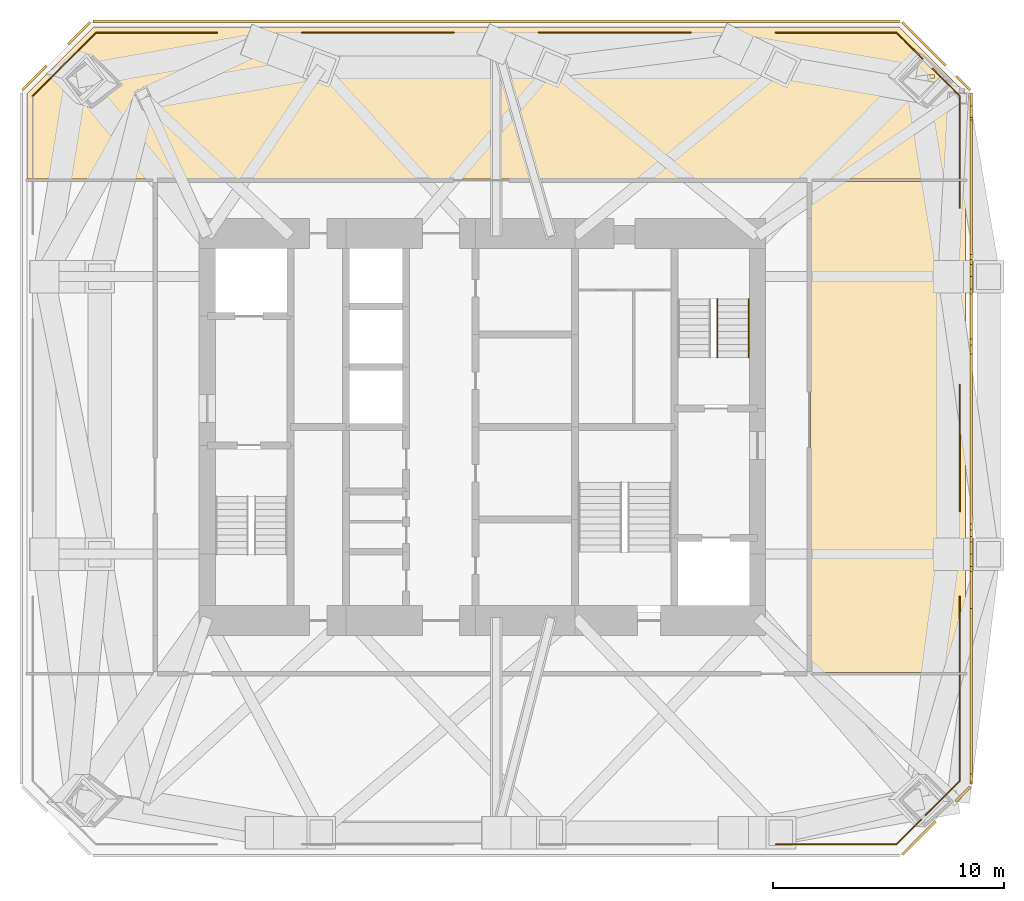
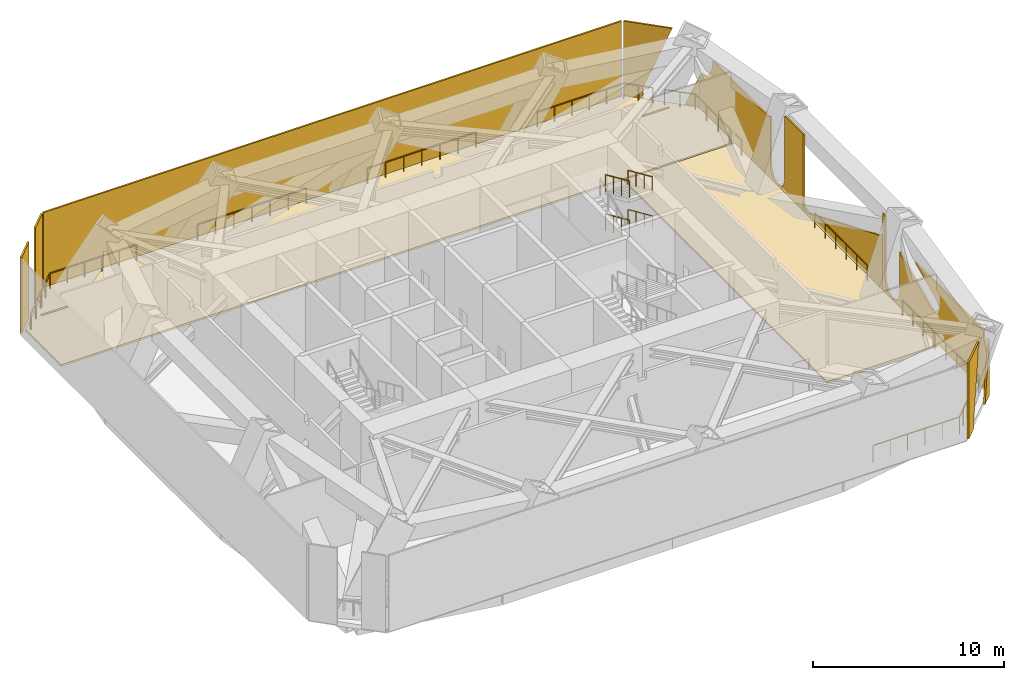
# One storey, part 8 of 8: 20 railings, 10 shading devices, 2 coverings.
"""IFC4 building model written with IfcOpenShell, lengths in metres."""

from ifc_helpers import new_model, si_unit, direction, frame, origin, origin_2d, place, context, subcontext, project, spatial, polyline, rectangle, circle, outline, extrude, material, layer, layer_set, constituent, constituent_set, type_object, element, save


model = new_model("IFC4")

# Units and contexts
model_context = context("Model", 3, precision=1e-05, world=origin(), true_north=direction((0.0, 1.0)))
body_context = subcontext(model_context, "Body", "Model", "MODEL_VIEW")
ifc_project = project(units=[si_unit("LENGTHUNIT", "METRE"), si_unit("AREAUNIT", "SQUARE_METRE"), si_unit("VOLUMEUNIT", "CUBIC_METRE"), si_unit("PLANEANGLEUNIT", "RADIAN"), si_unit("MASSUNIT", "GRAM", prefix="KILO")], contexts=[model_context])

# Site, building, storey
site_placement = place(None, origin())
site = spatial("IfcSite", under=ifc_project, at=site_placement, CompositionType="ELEMENT")
building_placement = place(site_placement, origin())
building = spatial("IfcBuilding", under=site, at=building_placement, Name="Jalousie Tower", CompositionType="ELEMENT")
storey_placement = place(building_placement, frame((0.0, 0.0, 207.949951171875)))
storey = spatial("IfcBuildingStorey", under=building, at=storey_placement, Name="L57", CompositionType="ELEMENT", Elevation=207.949951171875)

# Coverings
ifc_material_1 = material(Name="Sand-cement screed on resilient layer", Category="concrete")
ifc_layer_1 = layer(ifc_material_1, 0.1201171875)
ifc_layer_set_1 = layer_set([ifc_layer_1], Name="Sand-cement screed on resilient layer")
covering_type = type_object("IfcCoveringType", Name="FLOATING PLANT SCREED 120", PredefinedType="FLOORING", material=ifc_layer_set_1)
covering_1_placement = place(storey_placement, origin())
element("IfcCovering", 1, at=covering_1_placement, inside=storey, type_object=covering_type, Name="Floating screed Mechanical plant room", PredefinedType="FLOORING", context=body_context, shape_type="SweptSolid", body=[
    extrude(outline(polyline([(12.199951171875, 32.917236328125), (15.082763671875, 35.800048828125), (49.917236328125, 35.800048828125), (52.800048828125, 32.917236328125), (52.800048828125, 29.22509765625), (12.199951171875, 29.22509765625), (12.199951171875, 32.917236328125)]), holes=[polyline([(49.8515625, 33.589111328125), (51.451416015625, 33.589111328125), (51.451416015625, 33.714111328125), (49.8515625, 33.714111328125), (49.8515625, 33.589111328125)]), polyline([(13.548583984375, 33.589111328125), (15.1484375, 33.589111328125), (15.1484375, 33.714111328125), (13.548583984375, 33.714111328125), (13.548583984375, 33.589111328125)])]), origin(), (0.0, 0.0, 1.0), 0.1201171875),
])
covering_2_placement = place(storey_placement, origin())
element("IfcCovering", 2, at=covering_2_placement, inside=storey, type_object=covering_type, Name="Floating screed Water tank room", PredefinedType="FLOORING", context=body_context, shape_type="SweptSolid", body=[
    extrude(outline(polyline([(52.800048828125, 29.125), (52.800048828125, 7.875), (46.10009765625, 7.875), (46.10009765625, 29.125), (52.800048828125, 29.125)])), origin(), (0.0, 0.0, 1.0), 0.1201171875),
])

# Railings
ifc_material_2 = material(Name="Stainless steel AISI 316", Category="steel")
railing_type_1 = type_object("IfcRailingType", Name="PLANT GUARDRAIL 1100", PredefinedType="GUARDRAIL", material=ifc_material_2)
railing_1_placement = place(storey_placement, frame((12.449951171875, 32.813720703125, 0.0)))
element("IfcRailing", 3, at=railing_1_placement, inside=storey, type_object=railing_type_1, Name="Plant floor guard L57 8", PredefinedType="GUARDRAIL", context=body_context, shape_type="SweptSolid", body=[
    extrude(rectangle(XDim=0.048095703125, YDim=0.048095703125, at=origin_2d()), frame((0.0, 0.0, 1.076171875), z_axis=(0.707167065664, 0.707046491569, 0.0), x_axis=(-0.707046491569, 0.707167065664, 0.0)), (0.0, 0.0, 1.0), 2.02490234375),
    extrude(circle(Radius=0.02099609375, at=origin_2d()), origin(), (0.0, 0.0, 1.0), 1.052001953125),
    extrude(circle(Radius=0.02099609375, at=origin_2d()), frame((0.7158203125, 0.7158203125, 0.0)), (0.0, 0.0, 1.0), 1.052001953125),
    extrude(circle(Radius=0.02099609375, at=origin_2d()), frame((1.431884765625, 1.431640625, 0.0)), (0.0, 0.0, 1.0), 1.052001953125),
])
railing_2_placement = place(storey_placement, frame((13.921875, 34.285400390625, 0.0)))
element("IfcRailing", 4, at=railing_2_placement, inside=storey, type_object=railing_type_1, Name="Plant floor guard L57 9", PredefinedType="GUARDRAIL", context=body_context, shape_type="SweptSolid", body=[
    extrude(rectangle(XDim=0.048095703125, YDim=0.048095703125, at=origin_2d()), frame((0.0, 0.0, 1.076171875), z_axis=(0.707038517753, 0.707175038031, 0.0), x_axis=(-0.707175038031, 0.707038517753, 0.0)), (0.0, 0.0, 1.0), 1.788330078125),
    extrude(circle(Radius=0.02099609375, at=origin_2d()), origin(), (0.0, 0.0, 1.0), 1.052001953125),
    extrude(circle(Radius=0.02099609375, at=origin_2d()), frame((0.63232421875, 0.63232421875, 0.0)), (0.0, 0.0, 1.0), 1.052001953125),
    extrude(circle(Radius=0.02099609375, at=origin_2d()), frame((1.264404296875, 1.2646484375, 0.0)), (0.0, 0.0, 1.0), 1.052001953125),
])
railing_3_placement = place(storey_placement, frame((15.186279296875, 35.550048828125, 0.0)))
element("IfcRailing", 5, at=railing_3_placement, inside=storey, type_object=railing_type_1, Name="Plant floor guard L57 10", PredefinedType="GUARDRAIL", context=body_context, shape_type="SweptSolid", body=[
    extrude(rectangle(XDim=0.048095703125, YDim=0.048095703125, at=origin_2d()), frame((0.0, 0.0, 1.076171875), z_axis=(1.0, 0.0, 0.0), x_axis=(0.0, 1.0, 0.0)), (0.0, 0.0, 1.0), 5.21875),
    extrude(circle(Radius=0.02099609375, at=origin_2d()), origin(), (0.0, 0.0, 1.0), 1.052001953125),
    extrude(circle(Radius=0.02099609375, at=origin_2d()), frame((1.043701171875, 0.0, 0.0)), (0.0, 0.0, 1.0), 1.052001953125),
    extrude(circle(Radius=0.02099609375, at=origin_2d()), frame((2.08740234375, 0.0, 0.0)), (0.0, 0.0, 1.0), 1.052001953125),
    extrude(circle(Radius=0.02099609375, at=origin_2d()), frame((3.13134765625, 0.0, 0.0)), (0.0, 0.0, 1.0), 1.052001953125),
    extrude(circle(Radius=0.02099609375, at=origin_2d()), frame((4.175048828125, 0.0, 0.0)), (0.0, 0.0, 1.0), 1.052001953125),
    extrude(circle(Radius=0.02099609375, at=origin_2d()), frame((5.21875, 0.0, 0.0)), (0.0, 0.0, 1.0), 1.052001953125),
])
for number, where, name in (
    (6, (24.094970703125, 35.550048828125, 0.0), "Plant floor guard L57 11"),
    (7, (34.344970703125, 35.550048828125, 0.0), "Plant floor guard L57 12"),
):
    element("IfcRailing", number, at=place(storey_placement, frame(where)), inside=storey, type_object=railing_type_1, Name=name, PredefinedType="GUARDRAIL", context=body_context, shape_type="SweptSolid", body=[
        extrude(rectangle(XDim=0.048095703125, YDim=0.048095703125, at=origin_2d()), frame((0.0, 0.0, 1.076171875), z_axis=(1.0, 0.0, 0.0), x_axis=(0.0, 1.0, 0.0)), (0.0, 0.0, 1.0), 6.56005859375),
        extrude(circle(Radius=0.02099609375, at=origin_2d()), origin(), (0.0, 0.0, 1.0), 1.052001953125),
        extrude(circle(Radius=0.02099609375, at=origin_2d()), frame((1.09326171875, 0.0, 0.0)), (0.0, 0.0, 1.0), 1.052001953125),
        extrude(circle(Radius=0.02099609375, at=origin_2d()), frame((2.186767578125, 0.0, 0.0)), (0.0, 0.0, 1.0), 1.052001953125),
        extrude(circle(Radius=0.02099609375, at=origin_2d()), frame((3.280029296875, 0.0, 0.0)), (0.0, 0.0, 1.0), 1.052001953125),
        extrude(circle(Radius=0.02099609375, at=origin_2d()), frame((4.373291015625, 0.0, 0.0)), (0.0, 0.0, 1.0), 1.052001953125),
        extrude(circle(Radius=0.02099609375, at=origin_2d()), frame((5.466796875, 0.0, 0.0)), (0.0, 0.0, 1.0), 1.052001953125),
        extrude(circle(Radius=0.02099609375, at=origin_2d()), frame((6.56005859375, 0.0, 0.0)), (0.0, 0.0, 1.0), 1.052001953125),
    ])
railing_4_placement = place(storey_placement, frame((44.594970703125, 35.550048828125, 0.0)))
element("IfcRailing", 8, at=railing_4_placement, inside=storey, type_object=railing_type_1, Name="Plant floor guard L57 13", PredefinedType="GUARDRAIL", context=body_context, shape_type="SweptSolid", body=[
    extrude(rectangle(XDim=0.048095703125, YDim=0.048095703125, at=origin_2d()), frame((0.0, 0.0, 1.076171875), z_axis=(1.0, 0.0, 0.0), x_axis=(0.0, 1.0, 0.0)), (0.0, 0.0, 1.0), 5.21875),
    extrude(circle(Radius=0.02099609375, at=origin_2d()), origin(), (0.0, 0.0, 1.0), 1.052001953125),
    extrude(circle(Radius=0.02099609375, at=origin_2d()), frame((1.043701171875, 0.0, 0.0)), (0.0, 0.0, 1.0), 1.052001953125),
    extrude(circle(Radius=0.02099609375, at=origin_2d()), frame((2.08740234375, 0.0, 0.0)), (0.0, 0.0, 1.0), 1.052001953125),
    extrude(circle(Radius=0.02099609375, at=origin_2d()), frame((3.13134765625, 0.0, 0.0)), (0.0, 0.0, 1.0), 1.052001953125),
    extrude(circle(Radius=0.02099609375, at=origin_2d()), frame((4.175048828125, 0.0, 0.0)), (0.0, 0.0, 1.0), 1.052001953125),
    extrude(circle(Radius=0.02099609375, at=origin_2d()), frame((5.21875, 0.0, 0.0)), (0.0, 0.0, 1.0), 1.052001953125),
])
railing_5_placement = place(storey_placement, frame((49.813720703125, 35.550048828125, 0.0)))
element("IfcRailing", 9, at=railing_5_placement, inside=storey, type_object=railing_type_1, Name="Plant floor guard L57 14", PredefinedType="GUARDRAIL", context=body_context, shape_type="SweptSolid", body=[
    extrude(rectangle(XDim=0.048095703125, YDim=0.048095703125, at=origin_2d()), frame((0.0, 0.0, 1.076171875), z_axis=(0.707029976019, -0.707183578012, 0.0), x_axis=(0.707183578012, 0.707029976019, 0.0)), (0.0, 0.0, 1.0), 1.58935546875),
    extrude(circle(Radius=0.02099609375, at=origin_2d()), origin(), (0.0, 0.0, 1.0), 1.052001953125),
    extrude(circle(Radius=0.02099609375, at=origin_2d()), frame((0.56201171875, -0.56201171875, 0.0)), (0.0, 0.0, 1.0), 1.052001953125),
    extrude(circle(Radius=0.02099609375, at=origin_2d()), frame((1.123779296875, -1.1240234375, 0.0)), (0.0, 0.0, 1.0), 1.052001953125),
])
railing_6_placement = place(storey_placement, frame((51.374267578125, 33.989501953125, 0.0)))
element("IfcRailing", 10, at=railing_6_placement, inside=storey, type_object=railing_type_1, Name="Plant floor guard L57 15", PredefinedType="GUARDRAIL", context=body_context, shape_type="SweptSolid", body=[
    extrude(rectangle(XDim=0.048095703125, YDim=0.048095703125, at=origin_2d()), frame((0.0, 0.0, 1.076171875), z_axis=(0.707106781187, -0.707106781187, 0.0), x_axis=(0.707106781187, 0.707106781187, 0.0)), (0.0, 0.0, 1.0), 1.662841796875),
    extrude(circle(Radius=0.02099609375, at=origin_2d()), origin(), (0.0, 0.0, 1.0), 1.052001953125),
    extrude(circle(Radius=0.02099609375, at=origin_2d()), frame((0.587890625, -0.587890625, 0.0)), (0.0, 0.0, 1.0), 1.052001953125),
    extrude(circle(Radius=0.02099609375, at=origin_2d()), frame((1.17578125, -1.17578125, 0.0)), (0.0, 0.0, 1.0), 1.052001953125),
])
railing_7_placement = place(storey_placement, frame((52.550048828125, 7.7548828125, 0.0)))
element("IfcRailing", 11, at=railing_7_placement, inside=storey, type_object=railing_type_1, Name="Plant floor guard L57 16", PredefinedType="GUARDRAIL", context=body_context, shape_type="SweptSolid", body=[
    extrude(rectangle(XDim=0.048095703125, YDim=0.048095703125, at=origin_2d()), frame((0.0, 0.0, 1.076171875), z_axis=(0.0, -1.0, 0.0), x_axis=(1.0, 0.0, 0.0)), (0.0, 0.0, 1.0), 4.568603515625),
    extrude(circle(Radius=0.02099609375, at=origin_2d()), origin(), (0.0, 0.0, 1.0), 1.052001953125),
    extrude(circle(Radius=0.02099609375, at=origin_2d()), frame((0.0, -1.14208984375, 0.0)), (0.0, 0.0, 1.0), 1.052001953125),
    extrude(circle(Radius=0.02099609375, at=origin_2d()), frame((0.0, -2.2841796875, 0.0)), (0.0, 0.0, 1.0), 1.052001953125),
    extrude(circle(Radius=0.02099609375, at=origin_2d()), frame((0.0, -3.426513671875, 0.0)), (0.0, 0.0, 1.0), 1.052001953125),
    extrude(circle(Radius=0.02099609375, at=origin_2d()), frame((0.0, -4.568603515625, 0.0)), (0.0, 0.0, 1.0), 1.052001953125),
])
railing_8_placement = place(storey_placement, frame((52.550048828125, 11.155029296875, 0.0)))
element("IfcRailing", 12, at=railing_8_placement, inside=storey, type_object=railing_type_1, Name="Plant floor guard L57 17", PredefinedType="GUARDRAIL", context=body_context, shape_type="SweptSolid", body=[
    extrude(rectangle(XDim=0.048095703125, YDim=0.048095703125, at=origin_2d()), frame((0.0, 0.0, 1.076171875), z_axis=(0.0, -1.0, 0.0), x_axis=(1.0, 0.0, 0.0)), (0.0, 0.0, 1.0), 3.260009765625),
    extrude(circle(Radius=0.02099609375, at=origin_2d()), origin(), (0.0, 0.0, 1.0), 1.052001953125),
    extrude(circle(Radius=0.02099609375, at=origin_2d()), frame((0.0, -1.086669921875, 0.0)), (0.0, 0.0, 1.0), 1.052001953125),
    extrude(circle(Radius=0.02099609375, at=origin_2d()), frame((0.0, -2.17333984375, 0.0)), (0.0, 0.0, 1.0), 1.052001953125),
    extrude(circle(Radius=0.02099609375, at=origin_2d()), frame((0.0, -3.260009765625, 0.0)), (0.0, 0.0, 1.0), 1.052001953125),
])
railing_9_placement = place(storey_placement, frame((52.550048828125, 20.322265625, 0.0)))
element("IfcRailing", 13, at=railing_9_placement, inside=storey, type_object=railing_type_1, Name="Plant floor guard L57 18", PredefinedType="GUARDRAIL", context=body_context, shape_type="SweptSolid", body=[
    extrude(rectangle(XDim=0.048095703125, YDim=0.048095703125, at=origin_2d()), frame((0.0, 0.0, 1.076171875), z_axis=(0.0, -1.0, 0.0), x_axis=(1.0, 0.0, 0.0)), (0.0, 0.0, 1.0), 5.477294921875),
    extrude(circle(Radius=0.02099609375, at=origin_2d()), origin(), (0.0, 0.0, 1.0), 1.052001953125),
    extrude(circle(Radius=0.02099609375, at=origin_2d()), frame((0.0, -1.095458984375, 0.0)), (0.0, 0.0, 1.0), 1.052001953125),
    extrude(circle(Radius=0.02099609375, at=origin_2d()), frame((0.0, -2.19091796875, 0.0)), (0.0, 0.0, 1.0), 1.052001953125),
    extrude(circle(Radius=0.02099609375, at=origin_2d()), frame((0.0, -3.286376953125, 0.0)), (0.0, 0.0, 1.0), 1.052001953125),
    extrude(circle(Radius=0.02099609375, at=origin_2d()), frame((0.0, -4.3818359375, 0.0)), (0.0, 0.0, 1.0), 1.052001953125),
    extrude(circle(Radius=0.02099609375, at=origin_2d()), frame((0.0, -5.477294921875, 0.0)), (0.0, 0.0, 1.0), 1.052001953125),
])
railing_10_placement = place(storey_placement, frame((52.550048828125, 29.10498046875, 0.0)))
element("IfcRailing", 14, at=railing_10_placement, inside=storey, type_object=railing_type_1, Name="Plant floor guard L57 19", PredefinedType="GUARDRAIL", context=body_context, shape_type="SweptSolid", body=[
    extrude(rectangle(XDim=0.048095703125, YDim=0.048095703125, at=origin_2d()), frame((0.0, 0.0, 1.076171875), z_axis=(0.0, -1.0, 0.0), x_axis=(1.0, 0.0, 0.0)), (0.0, 0.0, 1.0), 1.12255859375),
    extrude(circle(Radius=0.02099609375, at=origin_2d()), origin(), (0.0, 0.0, 1.0), 1.052001953125),
    extrude(circle(Radius=0.02099609375, at=origin_2d()), frame((0.0, -1.12255859375, 0.0)), (0.0, 0.0, 1.0), 1.052001953125),
])
railing_11_placement = place(storey_placement, frame((52.550048828125, 32.813720703125, 0.0)))
element("IfcRailing", 15, at=railing_11_placement, inside=storey, type_object=railing_type_1, Name="Plant floor guard L57 20", PredefinedType="GUARDRAIL", context=body_context, shape_type="SweptSolid", body=[
    extrude(rectangle(XDim=0.048095703125, YDim=0.048095703125, at=origin_2d()), frame((0.0, 0.0, 1.076171875), z_axis=(0.0, -1.0, 0.0), x_axis=(1.0, 0.0, 0.0)), (0.0, 0.0, 1.0), 3.568603515625),
    extrude(circle(Radius=0.02099609375, at=origin_2d()), origin(), (0.0, 0.0, 1.0), 1.052001953125),
    extrude(circle(Radius=0.02099609375, at=origin_2d()), frame((0.0, -1.189453125, 0.0)), (0.0, 0.0, 1.0), 1.052001953125),
    extrude(circle(Radius=0.02099609375, at=origin_2d()), frame((0.0, -2.379150390625, 0.0)), (0.0, 0.0, 1.0), 1.052001953125),
    extrude(circle(Radius=0.02099609375, at=origin_2d()), frame((0.0, -3.568603515625, 0.0)), (0.0, 0.0, 1.0), 1.052001953125),
])
railing_12_placement = place(storey_placement, frame((50.882568359375, 1.518798828125, 0.0)))
element("IfcRailing", 16, at=railing_12_placement, inside=storey, type_object=railing_type_1, Name="Plant floor guard L57 21", PredefinedType="GUARDRAIL", context=body_context, shape_type="SweptSolid", body=[
    extrude(rectangle(XDim=0.048095703125, YDim=0.048095703125, at=origin_2d()), frame((0.0, 0.0, 1.076171875), z_axis=(-0.707106781187, -0.707106781187, 0.0), x_axis=(0.707106781187, -0.707106781187, 0.0)), (0.0, 0.0, 1.0), 1.511474609375),
    extrude(circle(Radius=0.02099609375, at=origin_2d()), origin(), (0.0, 0.0, 1.0), 1.052001953125),
    extrude(circle(Radius=0.02099609375, at=origin_2d()), frame((-0.534423828125, -0.534423828125, 0.0)), (0.0, 0.0, 1.0), 1.052001953125),
    extrude(circle(Radius=0.02099609375, at=origin_2d()), frame((-1.06884765625, -1.06884765625, 0.0)), (0.0, 0.0, 1.0), 1.052001953125),
])
railing_13_placement = place(storey_placement, frame((52.550048828125, 3.186279296875, 0.0)))
element("IfcRailing", 17, at=railing_13_placement, inside=storey, type_object=railing_type_1, Name="Plant floor guard L57 22", PredefinedType="GUARDRAIL", context=body_context, shape_type="SweptSolid", body=[
    extrude(rectangle(XDim=0.048095703125, YDim=0.048095703125, at=origin_2d()), frame((0.0, 0.0, 1.076171875), z_axis=(-0.707106781187, -0.707106781187, 0.0), x_axis=(0.707106781187, -0.707106781187, 0.0)), (0.0, 0.0, 1.0), 2.098876953125),
    extrude(circle(Radius=0.02099609375, at=origin_2d()), origin(), (0.0, 0.0, 1.0), 1.052001953125),
    extrude(circle(Radius=0.02099609375, at=origin_2d()), frame((-0.7421875, -0.7421875, 0.0)), (0.0, 0.0, 1.0), 1.052001953125),
    extrude(circle(Radius=0.02099609375, at=origin_2d()), frame((-1.484130859375, -1.484130859375, 0.0)), (0.0, 0.0, 1.0), 1.052001953125),
])
railing_14_placement = place(storey_placement, frame((49.813720703125, 0.449951171875, 0.0)))
element("IfcRailing", 18, at=railing_14_placement, inside=storey, type_object=railing_type_1, Name="Plant floor guard L57 26", PredefinedType="GUARDRAIL", context=body_context, shape_type="SweptSolid", body=[
    extrude(rectangle(XDim=0.048095703125, YDim=0.048095703125, at=origin_2d()), frame((0.0, 0.0, 1.076171875), z_axis=(-1.0, 0.0, 0.0), x_axis=(0.0, -1.0, 0.0)), (0.0, 0.0, 1.0), 5.21875),
    extrude(circle(Radius=0.02099609375, at=origin_2d()), origin(), (0.0, 0.0, 1.0), 1.052001953125),
    extrude(circle(Radius=0.02099609375, at=origin_2d()), frame((-1.043701171875, 0.0, 0.0)), (0.0, 0.0, 1.0), 1.052001953125),
    extrude(circle(Radius=0.02099609375, at=origin_2d()), frame((-2.08740234375, 0.0, 0.0)), (0.0, 0.0, 1.0), 1.052001953125),
    extrude(circle(Radius=0.02099609375, at=origin_2d()), frame((-3.13134765625, 0.0, 0.0)), (0.0, 0.0, 1.0), 1.052001953125),
    extrude(circle(Radius=0.02099609375, at=origin_2d()), frame((-4.175048828125, 0.0, 0.0)), (0.0, 0.0, 1.0), 1.052001953125),
    extrude(circle(Radius=0.02099609375, at=origin_2d()), frame((-5.21875, 0.0, 0.0)), (0.0, 0.0, 1.0), 1.052001953125),
])

# Shading devices
ifc_material_3 = material(Name="Aluminium storm louvres", Category="aluminium")
ifc_layer_2 = layer(ifc_material_3, 0.10009765625)
ifc_layer_set_2 = layer_set([ifc_layer_2], Name="Aluminium storm louvres")
shading_device_type = type_object("IfcShadingDeviceType", Name="PLANT LOUVRE SCREEN", PredefinedType="JALOUSIE", material=ifc_layer_set_2)
shading_device_1_placement = place(storey_placement, frame((50.106201171875, -0.035400390625, -0.14990234375), z_axis=(0.70718671957, -0.707026833691, -1.024035e-05), x_axis=(0.707026833728, 0.707186719607, -5.42e-10)))
element("IfcShadingDevice", 19, at=shading_device_1_placement, inside=storey, type_object=shading_device_type, Name="Plant louvre screen L57 2", PredefinedType="JALOUSIE", context=body_context, shape_type="SweptSolid", body=[
    extrude(outline(polyline([(0.0, 0.0), (1.039771532180517, -8.470329472543003e-22), (0.9555263885634604, 0.5588378904524647), (1.8639238130433229, 4.229003907429494), (1.8054010402048872, 4.369873049715434), (2.0224013568804318, 4.869873048290335), (-2.6417625238857713e-09, 4.869873046619661), (0.0, 0.0)])), origin(), (0.0, 0.0, -1.0), 0.10009765625),
])
shading_device_2_placement = place(storey_placement, frame((53.035400390625, 2.893798828125, -0.14990234375), z_axis=(0.706969811354, -0.707243724493, 0.0), x_axis=(0.0, 0.0, 1.0)))
element("IfcShadingDevice", 20, at=shading_device_2_placement, inside=storey, type_object=shading_device_type, Name="Plant louvre screen L57 3", PredefinedType="JALOUSIE", context=body_context, shape_type="SweptSolid", body=[
    extrude(outline(polyline([(0.0, 0.0), (3.601806640625, 0.0), (0.0, 0.8913067333360426), (0.0, 0.0)])), origin(), (0.0, 0.0, -1.0), 0.10009765625),
])
shading_device_3_placement = place(storey_placement, frame((53.10009765625, 3.050048828125, -0.14990234375), z_axis=(1.0, 0.0, 0.0), x_axis=(0.0, 1.0, 0.0)))
element("IfcShadingDevice", 21, at=shading_device_3_placement, inside=storey, type_object=shading_device_type, Name="Plant louvre screen L57 4", PredefinedType="JALOUSIE", context=body_context, shape_type="SweptSolid", body=[
    extrude(outline(polyline([(0.0, 0.0), (10.987548828125, 0.0), (10.987548828125, 4.869873046875), (10.699951171875, 4.869873046875), (10.699951171875, 0.77490234375), (10.480224609375, 0.24462890625), (9.949951171875, 0.02490234375), (9.419677734375, 0.24462890625), (9.199951171875, 0.77490234375), (9.199951171875, 3.465576171875), (5.7685546875, 1.854736328125), (5.38623046875, 1.837158203125), (5.103515625, 2.094970703125), (5.0859375, 2.477294921875), (5.34375, 2.760009765625), (7.6015625, 3.820068359375), (0.427978515625, 3.820068359375), (0.433837890625, 3.416748046875), (0.099609375, 2.576416015625), (0.0, 2.533447265625), (0.0, 0.0)])), origin(), (0.0, 0.0, -1.0), 0.10009765625),
])
shading_device_4_placement = place(storey_placement, frame((53.10009765625, 14.03759765625, -0.14990234375), z_axis=(1.0, 0.0, 0.0), x_axis=(0.0, 1.0, 0.0)))
element("IfcShadingDevice", 22, at=shading_device_4_placement, inside=storey, type_object=shading_device_type, Name="Plant louvre screen L57 5", PredefinedType="JALOUSIE", context=body_context, shape_type="SweptSolid", body=[
    extrude(outline(polyline([(0.0, 0.0), (8.274658203125, 0.0), (8.274658203125, 0.872802734375), (8.27392578125, 0.490234375), (8.002685546875, 0.22021484375), (7.6201171875, 0.220947265625), (0.27001953125, 3.283447265625), (0.0, 3.554443359375), (0.0, 0.0)])), origin(), (0.0, 0.0, -1.0), 0.10009765625),
])
shading_device_5_placement = place(storey_placement, frame((53.10009765625, 22.312255859375, -0.14990234375), z_axis=(1.0, 0.0, 0.0), x_axis=(0.0, 1.0, 0.0)))
element("IfcShadingDevice", 23, at=shading_device_5_placement, inside=storey, type_object=shading_device_type, Name="Plant louvre screen L57 6", PredefinedType="JALOUSIE", context=body_context, shape_type="SweptSolid", body=[
    extrude(outline(polyline([(0.0, 0.0), (10.6376953125, 0.0), (10.6376953125, 2.304931640625), (10.066650390625, 2.426025390625), (9.57373046875, 3.18408203125), (9.45556640625, 3.820068359375), (3.653076171875, 3.820068359375), (3.437744140625, 3.9091796875), (3.437744140625, 0.77490234375), (3.218017578125, 0.24462890625), (2.687744140625, 0.02490234375), (2.157470703125, 0.24462890625), (1.937744140625, 0.77490234375), (1.937744140625, 4.869873046875), (0.0, 4.869873046875), (0.0, 0.0)])), origin(), (0.0, 0.0, -1.0), 0.10009765625),
])
shading_device_6_placement = place(storey_placement, frame((53.035400390625, 33.106201171875, -0.14990234375), z_axis=(0.707106781187, 0.707106781187, 0.0), x_axis=(-0.707106781187, 0.707106781187, 0.0)))
element("IfcShadingDevice", 24, at=shading_device_6_placement, inside=storey, type_object=shading_device_type, Name="Plant louvre screen L57 7", PredefinedType="JALOUSIE", context=body_context, shape_type="SweptSolid", body=[
    extrude(outline(polyline([(0.0, 0.0), (0.8621316565541061, 0.0), (0.0, 2.216552734375), (0.0, 0.0)])), origin(), (0.0, 0.0, -1.0), 0.10009765625),
])
shading_device_7_placement = place(storey_placement, frame((50.106201171875, 36.035400390625, 4.719970703125), z_axis=(0.707177866862, 0.707035688176, -1.6304895e-05), x_axis=(0.70703568827, -0.707177866956, 5.73e-10)))
element("IfcShadingDevice", 25, at=shading_device_7_placement, inside=storey, type_object=shading_device_type, Name="Plant louvre screen L57 8", PredefinedType="JALOUSIE", context=body_context, shape_type="SweptSolid", body=[
    extrude(outline(polyline([(0.0, 0.0), (2.639393455570117, -6.776263578034403e-21), (1.0432241988711086, 4.104248048031672), (1.0597970135328834, 4.869873047912227), (-2.789340781710464e-09, 4.8698730462276725), (0.0, 0.0)])), origin(), (0.0, 0.0, -1.0), 0.10009765625),
])
shading_device_8_placement = place(storey_placement, frame((15.050048828125, 36.10009765625, -0.14990234375), z_axis=(0.0, 1.0, 0.0), x_axis=(0.0, 0.0, 1.0)))
element("IfcShadingDevice", 26, at=shading_device_8_placement, inside=storey, type_object=shading_device_type, Name="Plant louvre screen L57 9", PredefinedType="JALOUSIE", context=body_context, shape_type="SweptSolid", body=[
    extrude(outline(polyline([(0.0, 0.0), (4.869873046875, 0.0), (4.869873046875, 34.89990234375), (0.0, 34.89990234375), (0.0, 0.0)])), origin(), (0.0, 0.0, -1.0), 0.10009765625),
])
shading_device_9_placement = place(storey_placement, frame((14.893798828125, 36.035400390625, 4.719970703125), z_axis=(-0.707197094332, 0.707016456505, 0.0), x_axis=(0.0, 0.0, -1.0)))
element("IfcShadingDevice", 27, at=shading_device_9_placement, inside=storey, type_object=shading_device_type, Name="Plant louvre screen L57 10", PredefinedType="JALOUSIE", context=body_context, shape_type="SweptSolid", body=[
    extrude(outline(polyline([(0.0, 0.0), (4.869873046875, 0.0), (4.869873046875, 1.3515476159836275), (0.0, 1.3515476159836275), (0.0, 0.0)])), origin(), (0.0, 0.0, -1.0), 0.10009765625),
])
shading_device_10_placement = place(storey_placement, frame((11.964599609375, 33.106201171875, 4.719970703125), z_axis=(-0.707106781187, 0.707106781187, 0.0), x_axis=(0.707106781187, 0.707106781187, 0.0)))
element("IfcShadingDevice", 28, at=shading_device_10_placement, inside=storey, type_object=shading_device_type, Name="Plant louvre screen L57 11", PredefinedType="JALOUSIE", context=body_context, shape_type="SweptSolid", body=[
    extrude(outline(polyline([(0.0, 0.0), (1.479123755177329, 0.0), (1.479123755177329, 4.869873046875001), (0.0, 4.869873046875001), (0.0, 0.0)])), origin(), (0.0, 0.0, -1.0), 0.10009765625),
])

# Railings
ifc_material_4 = material(Name="Steel ASTM A500 Grade C", Category="steel")
ifc_constituent_1 = constituent(ifc_material_4, Name="Body")
ifc_material_5 = material(Name="Hot-dip galvanised zinc coating")
ifc_constituent_2 = constituent(ifc_material_5, Name="Finish")
ifc_constituent_set_1 = constituent_set(constituents=[ifc_constituent_1, ifc_constituent_2])
railing_type_2 = type_object("IfcRailingType", Name="STAIR GUARD 1100", PredefinedType="GUARDRAIL", material=ifc_constituent_set_1)
for number, where, name in (
    (29, (42.054931640625, 24.0224609375, 1.375), "Exit stair B guard L57 flight 2"),
    (30, (42.054931640625, 24.0224609375, 3.875), "Exit stair B guard L57 flight 4"),
):
    element("IfcRailing", number, at=place(storey_placement, frame(where)), inside=storey, type_object=railing_type_2, Name=name, PredefinedType="GUARDRAIL", context=body_context, shape_type="SweptSolid", body=[
        extrude(rectangle(XDim=0.048095703125, YDim=0.048095703125, at=origin_2d()), frame((0.0, 0.0, 1.076171875), z_axis=(0.0, -0.913139058521, 0.407648205936), x_axis=(1.0, 0.0, 0.0)), (0.0, 0.0, 1.0), 2.759765625),
        extrude(circle(Radius=0.02099609375, at=origin_2d()), origin(), (0.0, 0.0, 1.0), 1.052001953125),
        extrude(circle(Radius=0.02099609375, at=origin_2d()), frame((0.0, -0.840087890625, 0.375)), (0.0, 0.0, 1.0), 1.052001953125),
        extrude(circle(Radius=0.02099609375, at=origin_2d()), frame((0.0, -1.679931640625, 0.75)), (0.0, 0.0, 1.0), 1.052001953125),
        extrude(circle(Radius=0.02099609375, at=origin_2d()), frame((0.0, -2.52001953125, 1.125)), (0.0, 0.0, 1.0), 1.052001953125),
    ])
ifc_material_6 = material(Name="Steel ASTM A500 Grade C", Category="steel")
ifc_constituent_3 = constituent(ifc_material_6, Name="Body")
ifc_material_7 = material(Name="Hot-dip galvanised zinc coating")
ifc_constituent_4 = constituent(ifc_material_7, Name="Finish")
ifc_constituent_set_2 = constituent_set(constituents=[ifc_constituent_3, ifc_constituent_4])
railing_type_3 = type_object("IfcRailingType", Name="STAIR HANDRAIL 900", PredefinedType="HANDRAIL", material=ifc_constituent_set_2)
for number, where, name in (
    (31, (43.419921875, 24.0224609375, 1.375), "Exit stair B handrail L57 flight 2"),
    (32, (43.419921875, 24.0224609375, 3.875), "Exit stair B handrail L57 flight 4"),
):
    element("IfcRailing", number, at=place(storey_placement, frame(where)), inside=storey, type_object=railing_type_3, Name=name, PredefinedType="HANDRAIL", context=body_context, shape_type="SweptSolid", body=[
        extrude(circle(Radius=0.02392578125, at=origin_2d()), frame((0.0, 0.0, 0.8759765625), z_axis=(0.0, -0.913139058521, 0.407648205936), x_axis=(1.0, 0.0, 0.0)), (0.0, 0.0, 1.0), 2.759765625),
        extrude(circle(Radius=0.02099609375, at=origin_2d()), origin(), (0.0, 0.0, 1.0), 0.851806640625),
        extrude(circle(Radius=0.02099609375, at=origin_2d()), frame((0.0, -0.840087890625, 0.375)), (0.0, 0.0, 1.0), 0.851806640625),
        extrude(circle(Radius=0.02099609375, at=origin_2d()), frame((0.0, -1.679931640625, 0.75)), (0.0, 0.0, 1.0), 0.851806640625),
        extrude(circle(Radius=0.02099609375, at=origin_2d()), frame((0.0, -2.52001953125, 1.125)), (0.0, 0.0, 1.0), 0.851806640625),
    ])

save(model, "model.ifc")
